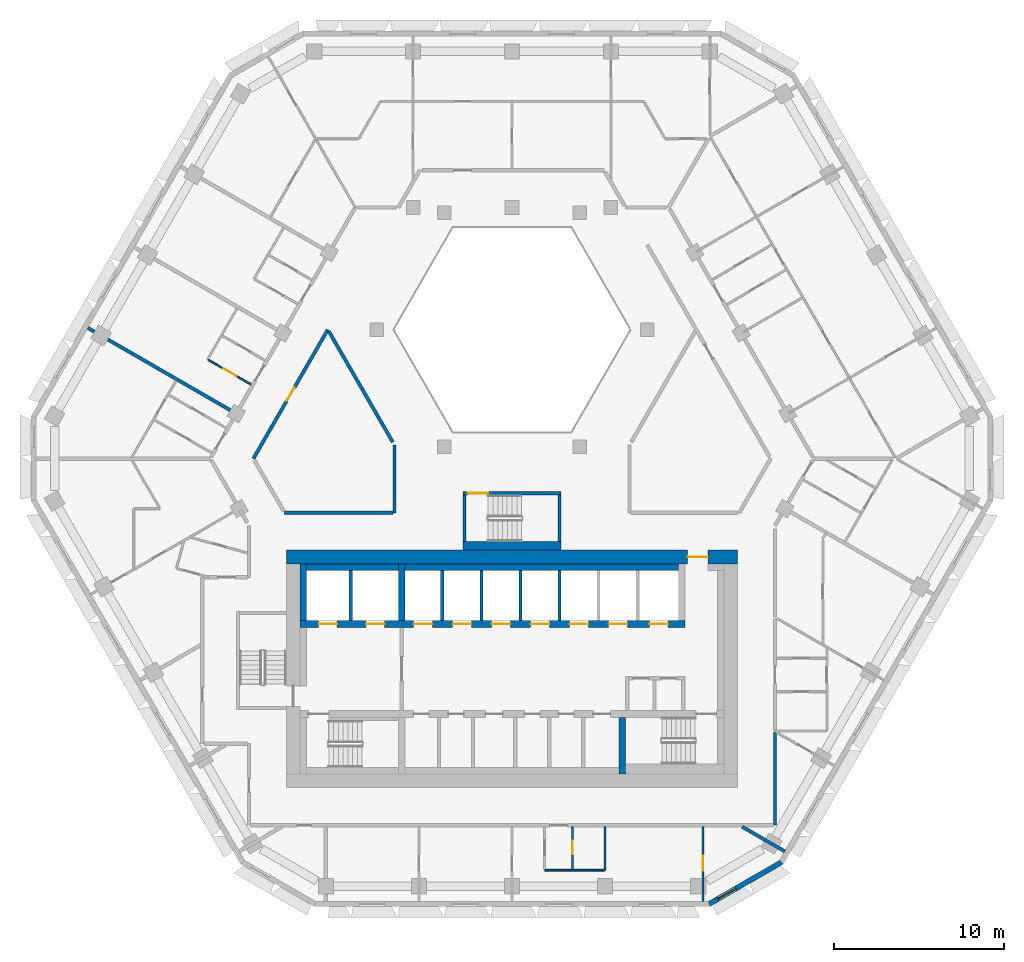
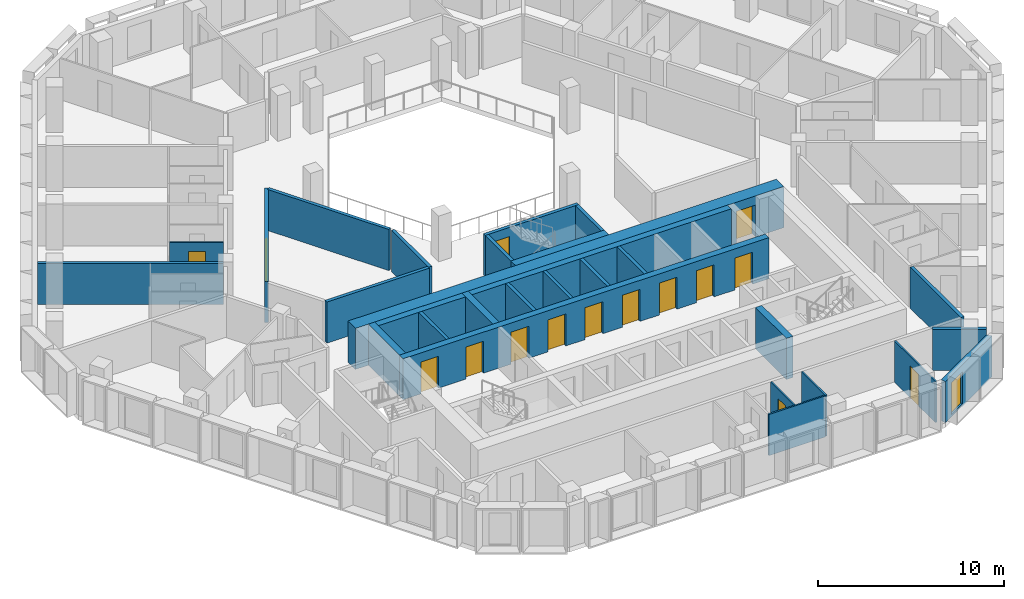
# One storey, part 5 of 15: 29 walls, 15 doors, 1 window, 16 openings.
"""IFC4 building model written with IfcOpenShell, lengths in metres."""

from ifc_helpers import new_model, si_unit, direction, frame, frame_2d, origin, place, context, subcontext, project, spatial, polyline, rectangle, outline, extrude, material, layer, layer_set, type_object, element, fill, save


model = new_model("IFC4")

# Units and contexts
model_context = context("Model", 3, precision=1e-05, world=origin(), true_north=direction((0.0, 1.0)))
body_context = subcontext(model_context, "Body", "Model", "MODEL_VIEW")
ifc_project = project(units=[si_unit("LENGTHUNIT", "METRE"), si_unit("AREAUNIT", "SQUARE_METRE"), si_unit("VOLUMEUNIT", "CUBIC_METRE"), si_unit("PLANEANGLEUNIT", "RADIAN"), si_unit("MASSUNIT", "GRAM", prefix="KILO")], contexts=[model_context])

# Site, building, storey
site_placement = place(None, origin())
site = spatial("IfcSite", under=ifc_project, at=site_placement, CompositionType="ELEMENT")
building_placement = place(site_placement, origin())
building = spatial("IfcBuilding", under=site, at=building_placement, Name="Beryl Residences", CompositionType="ELEMENT")
storey_placement = place(building_placement, frame((0.0, 0.0, 135.60009765625)))
storey = spatial("IfcBuildingStorey", under=building, at=storey_placement, Name="L41", CompositionType="ELEMENT", Elevation=135.60009765625)

# Wall, opening, window
ifc_material_1 = material(Name="Composite metal panel with mineral wool insulation")
ifc_layer_1 = layer(ifc_material_1, 0.300048828125)
ifc_layer_set_1 = layer_set([ifc_layer_1], Name="ES1 pale metal composite panel wall 300 mm")
wall_type_1 = type_object("IfcWallType", Name="ES1 pale metal composite panel wall 300 mm", PredefinedType="SOLIDWALL", material=ifc_layer_set_1)
wall_1_placement = place(storey_placement, frame((11.5869140625, -25.8701171875, 0.0), z_axis=(0.0, 0.0, 1.0), x_axis=(0.866022959057, 0.500004234368, 0.0)))
wall_1 = element("IfcWall", 1, at=wall_1_placement, inside=storey, type_object=wall_type_1, Name="ES1 external wall L41 S-SE", PredefinedType="SOLIDWALL", context=body_context, shape_type="SweptSolid", body=[
    extrude(outline(polyline([(0.0, -0.14990234375), (5.0, -0.14990234375), (4.919677734375, 0.14990234375), (0.080322265625, 0.14990234375), (0.0, -0.14990234375)])), origin(), (0.0, 0.0, 1.0), 2.699951171875),
])
opening_1_placement = place(wall_1_placement, frame((0.64990234375, 0.0, 0.14990234375)))
opening_1 = element("IfcOpeningElement", 2, at=opening_1_placement, cuts=wall_1, Name="Opening W2", PredefinedType="OPENING", context=body_context, shape_type="SweptSolid", body=[
    extrude(rectangle(XDim=1.199951171875, YDim=2.10009765625, at=frame_2d((0.60009765625, 1.050048828125))), frame((0.0, 0.159912109375, 0.0), z_axis=(0.0, -1.0, 0.0), x_axis=(1.0, 0.0, 0.0)), (0.0, 0.0, 1.0), 0.320068359375),
])
ifc_material_2 = material(Name="Aluminium and clear glass", Category="aluminium")
window_type = type_object("IfcWindowType", Name="W2 chamfer window 1200 x 2100 mm", PartitioningType="SINGLE_PANEL", PredefinedType="WINDOW", material=ifc_material_2)
window_placement = place(opening_1_placement, origin())
window = element("IfcWindow", 3, at=window_placement, inside=storey, type_object=window_type, Name="W2 window L41 S-SE 1", OverallHeight=2.10009765625, OverallWidth=1.199951171875, PartitioningType="SINGLE_PANEL", PredefinedType="WINDOW", context=body_context, shape_type="SweptSolid", body=[
    extrude(rectangle(XDim=1.199951171875, YDim=2.10009765625, at=frame_2d((0.60009765625, 1.050048828125))), frame((0.0, 0.030029296875, 0.0), z_axis=(0.0, -1.0, 0.0), x_axis=(1.0, 0.0, 0.0)), (0.0, 0.0, 1.0), 0.06005859375),
])
fill(opening_1, window)

# Wall, opening, door
ifc_material_3 = material(Name="Gypsum board partition on steel studs", Category="steel")
ifc_layer_2 = layer(ifc_material_3, 0.10009765625)
ifc_layer_set_2 = layer_set([ifc_layer_2], Name="PT1 partition 100 mm gypsum board on steel studs")
wall_type_2 = type_object("IfcWallType", Name="PT1 partition 100 mm gypsum board on steel studs", PredefinedType="PARTITIONING", material=ifc_layer_set_2)
wall_2_placement = place(storey_placement, frame((-17.89794921875, 6.217041015625, 0.0), z_axis=(0.0, 0.0, 1.0), x_axis=(0.86592000186, -0.500182517066, 0.0)))
wall_2 = element("IfcWall", 4, at=wall_2_placement, inside=storey, type_object=wall_type_2, Name="Wall PT1 L41 009", PredefinedType="PARTITIONING", context=body_context, shape_type="SweptSolid", body=[
    extrude(rectangle(XDim=2.9091796875, YDim=0.10009765625, at=frame_2d((1.45458984375, 0.0))), origin(), (0.0, 0.0, 1.0), 2.699951171875),
])
opening_2_placement = place(wall_2_placement, frame((1.029052734375, 0.0, 0.0)))
opening_2 = element("IfcOpeningElement", 5, at=opening_2_placement, cuts=wall_2, Name="Opening D1342", PredefinedType="OPENING", context=body_context, shape_type="SweptSolid", body=[
    extrude(rectangle(XDim=0.89990234375, YDim=2.10009765625, at=frame_2d((0.449951171875, 1.050048828125))), frame((0.0, 0.06005859375, 0.0), z_axis=(0.0, -1.0, 0.0), x_axis=(1.0, 0.0, 0.0)), (0.0, 0.0, 1.0), 0.1201171875),
])
ifc_material_4 = material(Name="Timber door leaf", Category="wood")
door_type_1 = type_object("IfcDoorType", Name="D2 room door 900 x 2100 mm", OperationType="SINGLE_SWING_LEFT", PredefinedType="DOOR", material=ifc_material_4)
door_1_placement = place(opening_2_placement, origin())
door_1 = element("IfcDoor", 6, at=door_1_placement, inside=storey, type_object=door_type_1, Name="Door D1342 L41 001", OperationType="SINGLE_SWING_RIGHT", OverallHeight=2.10009765625, OverallWidth=0.89990234375, PredefinedType="DOOR", context=body_context, shape_type="SweptSolid", body=[
    extrude(rectangle(XDim=0.89990234375, YDim=2.10009765625, at=frame_2d((0.449951171875, 1.050048828125))), frame((0.0, 0.02490234375, 0.0), z_axis=(0.0, -1.0, 0.0), x_axis=(1.0, 0.0, 0.0)), (0.0, 0.0, 1.0), 0.050048828125),
])
fill(opening_2, door_1)

# Wall
wall_3_placement = place(storey_placement, frame((1.922119140625, -23.860107421875, 0.0), z_axis=(0.0, 0.0, 1.0), x_axis=(1.0, 0.0, 0.0)))
element("IfcWall", 7, at=wall_3_placement, inside=storey, type_object=wall_type_2, Name="Wall PT1 L41 023", PredefinedType="PARTITIONING", context=body_context, shape_type="SweptSolid", body=[
    extrude(rectangle(XDim=3.512939453125, YDim=0.10009765625, at=frame_2d((1.75634765625, 0.0))), origin(), (0.0, 0.0, 1.0), 2.699951171875),
])

# Wall, opening, door
wall_4_placement = place(storey_placement, frame((3.56591796875, -23.81005859375, 0.0), z_axis=(0.0, 0.0, 1.0), x_axis=(0.0, 1.0, 0.0)))
wall_4 = element("IfcWall", 8, at=wall_4_placement, inside=storey, type_object=wall_type_2, Name="Wall PT1 L41 036", PredefinedType="PARTITIONING", context=body_context, shape_type="SweptSolid", body=[
    extrude(rectangle(XDim=2.510009765625, YDim=0.10009765625, at=frame_2d((1.2548828125, 0.0))), origin(), (0.0, 0.0, 1.0), 2.699951171875),
])
opening_3_placement = place(wall_4_placement, frame((0.8798828125, 0.0, 0.0)))
opening_3 = element("IfcOpeningElement", 9, at=opening_3_placement, cuts=wall_4, Name="Opening D1303", PredefinedType="OPENING", context=body_context, shape_type="SweptSolid", body=[
    extrude(rectangle(XDim=0.800048828125, YDim=2.10009765625, at=frame_2d((0.39990234375, 1.050048828125))), frame((0.0, 0.06005859375, 0.0), z_axis=(0.0, -1.0, 0.0), x_axis=(1.0, 0.0, 0.0)), (0.0, 0.0, 1.0), 0.1201171875),
])
ifc_material_5 = material(Name="Timber door leaf", Category="wood")
door_type_2 = type_object("IfcDoorType", Name="D3 bathroom door 800 x 2100 mm", OperationType="SINGLE_SWING_LEFT", PredefinedType="DOOR", material=ifc_material_5)
door_2_placement = place(opening_3_placement, origin())
door_2 = element("IfcDoor", 10, at=door_2_placement, inside=storey, type_object=door_type_2, Name="Door D1303 L41 001", OperationType="SINGLE_SWING_LEFT", OverallHeight=2.10009765625, OverallWidth=0.800048828125, PredefinedType="DOOR", context=body_context, shape_type="SweptSolid", body=[
    extrude(rectangle(XDim=0.800048828125, YDim=2.10009765625, at=frame_2d((0.39990234375, 1.050048828125))), frame((0.0, 0.02490234375, 0.0), z_axis=(0.0, -1.0, 0.0), x_axis=(1.0, 0.0, 0.0)), (0.0, 0.0, 1.0), 0.050048828125),
])
fill(opening_3, door_2)

# Wall
wall_5_placement = place(storey_placement, frame((5.486083984375, -23.85888671875, 0.0), z_axis=(0.0, 0.0, 1.0), x_axis=(0.0, 1.0, 0.0)))
element("IfcWall", 11, at=wall_5_placement, inside=storey, type_object=wall_type_2, Name="Wall PT1 L41 037", PredefinedType="PARTITIONING", context=body_context, shape_type="SweptSolid", body=[
    extrude(rectangle(XDim=2.558837890625, YDim=0.10009765625, at=frame_2d((1.279296875, 0.0))), origin(), (0.0, 0.0, 1.0), 2.699951171875),
])

# Wall, opening, door
wall_6_placement = place(storey_placement, frame((11.2548828125, -25.699951171875, 0.0), z_axis=(0.0, 0.0, 1.0), x_axis=(0.0, 1.0, 0.0)))
wall_6 = element("IfcWall", 12, at=wall_6_placement, inside=storey, type_object=wall_type_2, Name="Wall PT1 L41 039", PredefinedType="PARTITIONING", context=body_context, shape_type="SweptSolid", body=[
    extrude(rectangle(XDim=4.39990234375, YDim=0.10009765625, at=frame_2d((2.199951171875, 0.0))), origin(), (0.0, 0.0, 1.0), 2.699951171875),
])
opening_4_placement = place(wall_6_placement, frame((1.800048828125, 0.0, 0.0)))
opening_4 = element("IfcOpeningElement", 13, at=opening_4_placement, cuts=wall_6, Name="Opening D1304", PredefinedType="OPENING", context=body_context, shape_type="SweptSolid", body=[
    extrude(rectangle(XDim=0.89990234375, YDim=2.10009765625, at=frame_2d((0.449951171875, 1.050048828125))), frame((0.0, 0.06005859375, 0.0), z_axis=(0.0, -1.0, 0.0), x_axis=(1.0, 0.0, 0.0)), (0.0, 0.0, 1.0), 0.1201171875),
])
door_3_placement = place(opening_4_placement, origin())
door_3 = element("IfcDoor", 14, at=door_3_placement, inside=storey, type_object=door_type_1, Name="Door D1304 L41 001", OperationType="SINGLE_SWING_RIGHT", OverallHeight=2.10009765625, OverallWidth=0.89990234375, PredefinedType="DOOR", context=body_context, shape_type="SweptSolid", body=[
    extrude(rectangle(XDim=0.89990234375, YDim=2.10009765625, at=frame_2d((0.449951171875, 1.050048828125))), frame((0.0, 0.02490234375, 0.0), z_axis=(0.0, -1.0, 0.0), x_axis=(1.0, 0.0, 0.0)), (0.0, 0.0, 1.0), 0.050048828125),
])
fill(opening_4, door_3)

# Walls
ifc_material_6 = material(Name="Acoustic double stud gypsum board wall")
ifc_layer_3 = layer(ifc_material_6, 0.199951171875)
ifc_layer_set_3 = layer_set([ifc_layer_3], Name="PT3 party wall 200 mm acoustic double stud")
wall_type_3 = type_object("IfcWallType", Name="PT3 party wall 200 mm acoustic double stud", PredefinedType="PARTITIONING", material=ifc_layer_set_3)
wall_7_placement = place(storey_placement, frame((-24.9990234375, 8.10009765625, 0.0), z_axis=(0.0, 0.0, 1.0), x_axis=(0.866016855193, -0.500014806302, 0.0)))
element("IfcWall", 15, at=wall_7_placement, inside=storey, type_object=wall_type_3, Name="Wall PT3 L41 001", PredefinedType="PARTITIONING", context=body_context, shape_type="SweptSolid", body=[
    extrude(rectangle(XDim=9.999755859375, YDim=0.199951171875, at=frame_2d((5.0, 0.0))), origin(), (0.0, 0.0, 1.0), 2.699951171875),
])
wall_8_placement = place(storey_placement, frame((13.568115234375, -21.300048828125, 0.0), z_axis=(0.0, 0.0, 1.0), x_axis=(0.865885342641, -0.500242514586, 0.0)))
element("IfcWall", 16, at=wall_8_placement, inside=storey, type_object=wall_type_3, Name="Wall PT3 L41 002", PredefinedType="PARTITIONING", context=body_context, shape_type="SweptSolid", body=[
    extrude(rectangle(XDim=2.8984375, YDim=0.199951171875, at=frame_2d((1.44921875, 0.0))), origin(), (0.0, 0.0, 1.0), 2.699951171875),
])
ifc_material_7 = material(Name="Double stud gypsum board wall")
ifc_layer_4 = layer(ifc_material_7, 0.199951171875)
ifc_layer_set_4 = layer_set([ifc_layer_4], Name="PT4 corridor wall 200 mm double stud")
wall_type_4 = type_object("IfcWallType", Name="PT4 corridor wall 200 mm double stud", PredefinedType="PARTITIONING", material=ifc_layer_set_4)
wall_9_placement = place(storey_placement, frame((-10.7958984375, 7.89990234375, 0.0), z_axis=(0.0, 0.0, 1.0), x_axis=(0.499954271211, -0.866051803703, 0.0)))
element("IfcWall", 17, at=wall_9_placement, inside=storey, type_object=wall_type_4, Name="Wall PT4 L41 001", PredefinedType="PARTITIONING", context=body_context, shape_type="SweptSolid", body=[
    extrude(rectangle(XDim=7.536376953125, YDim=0.199951171875, at=frame_2d((3.76806640625, 0.0))), origin(), (0.0, 0.0, 1.0), 2.699951171875),
])
wall_10_placement = place(storey_placement, frame((-13.39501953125, -2.800048828125, 0.0), z_axis=(0.0, 0.0, 1.0), x_axis=(1.0, 0.0, 0.0)))
element("IfcWall", 18, at=wall_10_placement, inside=storey, type_object=wall_type_4, Name="Wall PT4 L41 012", PredefinedType="PARTITIONING", context=body_context, shape_type="SweptSolid", body=[
    extrude(rectangle(XDim=6.366943359375, YDim=0.199951171875, at=frame_2d((3.18359375, 0.0))), origin(), (0.0, 0.0, 1.0), 2.699951171875),
])

# Wall, opening, door
wall_11_placement = place(storey_placement, frame((-15.241943359375, 0.39892578125, 0.0), z_axis=(0.0, 0.0, 1.0), x_axis=(0.499953615651, 0.866052182145, 0.0)))
wall_11 = element("IfcWall", 19, at=wall_11_placement, inside=storey, type_object=wall_type_4, Name="Wall PT4 L41 020", PredefinedType="PARTITIONING", context=body_context, shape_type="SweptSolid", body=[
    extrude(rectangle(XDim=8.776611328125, YDim=0.199951171875, at=frame_2d((4.38818359375, 0.0))), origin(), (0.0, 0.0, 1.0), 2.699951171875),
])
opening_5_placement = place(wall_11_placement, frame((3.93798828125, 0.0, 0.0)))
opening_5 = element("IfcOpeningElement", 20, at=opening_5_placement, cuts=wall_11, Name="Opening D1356", PredefinedType="OPENING", context=body_context, shape_type="SweptSolid", body=[
    extrude(rectangle(XDim=0.89990234375, YDim=2.10009765625, at=frame_2d((0.449951171875, 1.050048828125))), frame((0.0, 0.10986328125, 0.0), z_axis=(0.0, -1.0, 0.0), x_axis=(1.0, 0.0, 0.0)), (0.0, 0.0, 1.0), 0.219970703125),
])
door_4_placement = place(opening_5_placement, origin())
door_4 = element("IfcDoor", 21, at=door_4_placement, inside=storey, type_object=door_type_1, Name="Door D1356 L41 001", OperationType="SINGLE_SWING_RIGHT", OverallHeight=2.10009765625, OverallWidth=0.89990234375, PredefinedType="DOOR", context=body_context, shape_type="SweptSolid", body=[
    extrude(rectangle(XDim=0.89990234375, YDim=2.10009765625, at=frame_2d((0.449951171875, 1.050048828125))), frame((0.0, 0.02490234375, 0.0), z_axis=(0.0, -1.0, 0.0), x_axis=(1.0, 0.0, 0.0)), (0.0, 0.0, 1.0), 0.050048828125),
])
fill(opening_5, door_4)

# Walls
wall_12_placement = place(storey_placement, frame((15.5, -21.198974609375, 0.0), z_axis=(0.0, 0.0, 1.0), x_axis=(0.0, 1.0, 0.0)))
element("IfcWall", 22, at=wall_12_placement, inside=storey, type_object=wall_type_4, Name="Wall PT4 L41 024", PredefinedType="PARTITIONING", context=body_context, shape_type="SweptSolid", body=[
    extrude(rectangle(XDim=5.4580078125, YDim=0.199951171875, at=frame_2d((2.72900390625, 0.0))), origin(), (0.0, 0.0, 1.0), 2.699951171875),
])
wall_13_placement = place(storey_placement, frame((-6.927978515625, -2.800048828125, 0.0), z_axis=(0.0, 0.0, 1.0), x_axis=(0.0, 1.0, 0.0)))
element("IfcWall", 23, at=wall_13_placement, inside=storey, type_object=wall_type_4, Name="Wall PT4 L41 026", PredefinedType="PARTITIONING", context=body_context, shape_type="SweptSolid", body=[
    extrude(rectangle(XDim=4.0, YDim=0.199951171875, at=frame_2d((2.0, 0.0))), origin(), (0.0, 0.0, 1.0), 2.699951171875),
])

# Wall, opening, door
ifc_material_8 = material(Name="Concrete C40/50", Category="concrete")
ifc_layer_5 = layer(ifc_material_8, 0.199951171875)
ifc_layer_set_5 = layer_set([ifc_layer_5], Name="PT5 stair enclosure wall 200 mm reinforced concrete C40/50")
wall_type_5 = type_object("IfcWallType", Name="PT5 stair enclosure wall 200 mm reinforced concrete C40/50", PredefinedType="SOLIDWALL", material=ifc_layer_set_5)
wall_14_placement = place(storey_placement, frame((-2.89990234375, -1.64990234375, 0.0), z_axis=(0.0, 0.0, 1.0), x_axis=(1.0, 0.0, 0.0)))
wall_14 = element("IfcWall", 24, at=wall_14_placement, inside=storey, type_object=wall_type_5, Name="Wall PT5 L41 001", PredefinedType="SOLIDWALL", context=body_context, shape_type="SweptSolid", body=[
    extrude(rectangle(XDim=5.7998046875, YDim=0.199951171875, at=frame_2d((2.89990234375, 0.0))), origin(), (0.0, 0.0, 1.0), 2.699951171875),
])
opening_6_placement = place(wall_14_placement, frame((0.300048828125, 0.0, 0.0)))
opening_6 = element("IfcOpeningElement", 25, at=opening_6_placement, cuts=wall_14, Name="Opening DS04", PredefinedType="OPENING", context=body_context, shape_type="SweptSolid", body=[
    extrude(rectangle(XDim=1.199951171875, YDim=2.10009765625, at=frame_2d((0.60009765625, 1.050048828125))), frame((0.0, 0.10986328125, 0.0), z_axis=(0.0, -1.0, 0.0), x_axis=(1.0, 0.0, 0.0)), (0.0, 0.0, 1.0), 0.219970703125),
])
ifc_material_9 = material(Name="Steel door leaf in steel frame", Category="steel")
door_type_3 = type_object("IfcDoorType", Name="D4 stair door 1200 x 2100 mm", OperationType="SINGLE_SWING_LEFT", PredefinedType="DOOR", material=ifc_material_9)
door_5_placement = place(opening_6_placement, origin())
door_5 = element("IfcDoor", 26, at=door_5_placement, inside=storey, type_object=door_type_3, Name="Door DS04 L41 001", OperationType="SINGLE_SWING_LEFT", OverallHeight=2.10009765625, OverallWidth=1.199951171875, PredefinedType="DOOR", context=body_context, shape_type="SweptSolid", body=[
    extrude(rectangle(XDim=1.199951171875, YDim=2.10009765625, at=frame_2d((0.60009765625, 1.050048828125))), frame((0.0, 0.02490234375, 0.0), z_axis=(0.0, -1.0, 0.0), x_axis=(1.0, 0.0, 0.0)), (0.0, 0.0, 1.0), 0.050048828125),
])
fill(opening_6, door_5)

# Walls
for number, where, z_axis, x_axis, name in (
    (27, (-2.800048828125, -4.5, 0.0), (0.0, 0.0, 1.0), (0.0, 1.0, 0.0), "Wall PT5 L41 002"),
    (28, (2.800048828125, -4.5, 0.0), (0.0, 0.0, 1.0), (0.0, 1.0, 0.0), "Wall PT5 L41 003"),
):
    element("IfcWall", number, at=place(storey_placement, frame(where, z_axis=z_axis, x_axis=x_axis)), inside=storey, type_object=wall_type_5, Name=name, PredefinedType="SOLIDWALL", context=body_context, shape_type="SweptSolid", body=[
        extrude(rectangle(XDim=2.75, YDim=0.199951171875, at=frame_2d((1.375, 0.0))), origin(), (0.0, 0.0, 1.0), 2.699951171875),
    ])
ifc_material_10 = material(Name="Concrete C40/50", Category="concrete")
ifc_layer_6 = layer(ifc_material_10, 0.5)
ifc_layer_set_6 = layer_set([ifc_layer_6], Name="PT5-500 stair enclosure wall 500 mm")
wall_type_6 = type_object("IfcWallType", Name="PT5-500 stair enclosure wall 500 mm", PredefinedType="SOLIDWALL", material=ifc_layer_set_6)
wall_15_placement = place(storey_placement, frame((-2.89990234375, -4.75, 0.0), z_axis=(0.0, 0.0, 1.0), x_axis=(1.0, 0.0, 0.0)))
element("IfcWall", 29, at=wall_15_placement, inside=storey, type_object=wall_type_6, Name="Wall PT5-500 L41 001", PredefinedType="SOLIDWALL", context=body_context, shape_type="SweptSolid", body=[
    extrude(rectangle(XDim=5.7998046875, YDim=0.5, at=frame_2d((2.89990234375, 0.0))), origin(), (0.0, 0.0, 1.0), 2.699951171875),
])
ifc_material_11 = material(Name="Concrete C40/50", Category="concrete")
ifc_layer_7 = layer(ifc_material_11, 0.199951171875)
ifc_layer_set_7 = layer_set([ifc_layer_7], Name="PT6 lift shaft wall 200 mm reinforced concrete C40/50")
wall_type_7 = type_object("IfcWallType", Name="PT6 lift shaft wall 200 mm reinforced concrete C40/50", PredefinedType="SOLIDWALL", material=ifc_layer_set_7)
for number, where, z_axis, x_axis, name in (
    (30, (-9.5, -9.14990234375, 0.0), (0.0, 0.0, 1.0), (0.0, 1.0, 0.0), "Lift shaft wall 10"),
    (31, (-4.10009765625, -9.14990234375, 0.0), (0.0, 0.0, 1.0), (0.0, 1.0, 0.0), "Lift shaft wall 15"),
    (32, (-1.800048828125, -9.14990234375, 0.0), (0.0, 0.0, 1.0), (0.0, 1.0, 0.0), "Lift shaft wall 17"),
    (33, (0.5, -9.14990234375, 0.0), (0.0, 0.0, 1.0), (0.0, 1.0, 0.0), "Lift shaft wall 19"),
    (34, (2.800048828125, -9.14990234375, 0.0), (0.0, 0.0, 1.0), (0.0, 1.0, 0.0), "Lift shaft wall 21"),
):
    element("IfcWall", number, at=place(storey_placement, frame(where, z_axis=z_axis, x_axis=x_axis)), inside=storey, type_object=wall_type_7, Name=name, PredefinedType="SOLIDWALL", context=body_context, shape_type="SweptSolid", body=[
        extrude(rectangle(XDim=2.949951171875, YDim=0.199951171875, at=frame_2d((1.47509765625, 0.0))), origin(), (0.0, 0.0, 1.0), 2.699951171875),
    ])
ifc_material_12 = material(Name="Concrete C40/50", Category="concrete")
ifc_layer_8 = layer(ifc_material_12, 0.39990234375)
ifc_layer_set_8 = layer_set([ifc_layer_8], Name="PT6-400 lift shaft wall 400 mm")
wall_type_8 = type_object("IfcWallType", Name="PT6-400 lift shaft wall 400 mm", PredefinedType="SOLIDWALL", material=ifc_layer_set_8)
wall_16_placement = place(storey_placement, frame((-12.300048828125, -9.14990234375, 0.0), z_axis=(0.0, 0.0, 1.0), x_axis=(0.0, 1.0, 0.0)))
element("IfcWall", 35, at=wall_16_placement, inside=storey, type_object=wall_type_8, Name="Lift shaft wall 06", PredefinedType="SOLIDWALL", context=body_context, shape_type="SweptSolid", body=[
    extrude(rectangle(XDim=3.349853515625, YDim=0.39990234375, at=frame_2d((1.6748046875, 0.0))), origin(), (0.0, 0.0, 1.0), 2.699951171875),
])
wall_17_placement = place(storey_placement, frame((-12.10009765625, -6.0, 0.0), z_axis=(0.0, 0.0, 1.0), x_axis=(1.0, 0.0, 0.0)))
element("IfcWall", 36, at=wall_17_placement, inside=storey, type_object=wall_type_8, Name="Lift shaft wall 08", PredefinedType="SOLIDWALL", context=body_context, shape_type="SweptSolid", body=[
    extrude(rectangle(XDim=5.400146484375, YDim=0.39990234375, at=frame_2d((2.7001953125, 0.0))), origin(), (0.0, 0.0, 1.0), 2.699951171875),
])
wall_18_placement = place(storey_placement, frame((-6.300048828125, -6.0, 0.0), z_axis=(0.0, 0.0, 1.0), x_axis=(1.0, 0.0, 0.0)))
element("IfcWall", 37, at=wall_18_placement, inside=storey, type_object=wall_type_8, Name="Lift shaft wall 13", PredefinedType="SOLIDWALL", context=body_context, shape_type="SweptSolid", body=[
    extrude(rectangle(XDim=16.10009765625, YDim=0.39990234375, at=frame_2d((8.050048828125, 0.0))), origin(), (0.0, 0.0, 1.0), 2.699951171875),
])

# Wall, opening, door
ifc_material_13 = material(Name="Concrete C60/75", Category="concrete")
ifc_layer_9 = layer(ifc_material_13, 0.800048828125)
ifc_layer_set_9 = layer_set([ifc_layer_9], Name="SW3 core outer wall 800 mm C60/75")
wall_type_9 = type_object("IfcWallType", Name="SW3 core outer wall 800 mm C60/75", PredefinedType="SHEAR", material=ifc_layer_set_9)
wall_19_placement = place(storey_placement, frame((-13.300048828125, -5.39990234375, 0.0), z_axis=(0.0, 0.0, 1.0), x_axis=(1.0, 0.0, 0.0)))
wall_19 = element("IfcWall", 38, at=wall_19_placement, inside=storey, type_object=wall_type_9, Name="Core wall N L41", PredefinedType="SHEAR", context=body_context, shape_type="SweptSolid", body=[
    extrude(rectangle(XDim=26.60009765625, YDim=0.800048828125, at=frame_2d((13.300048828125, 0.0))), origin(), (0.0, 0.0, 1.0), 2.699951171875),
])
opening_7_placement = place(wall_19_placement, frame((23.64990234375, 0.0, 0.0)))
opening_7 = element("IfcOpeningElement", 39, at=opening_7_placement, cuts=wall_19, Name="Opening FD-NORTH", PredefinedType="OPENING", context=body_context, shape_type="SweptSolid", body=[
    extrude(rectangle(XDim=1.199951171875, YDim=2.10009765625, at=frame_2d((0.60009765625, 1.050048828125))), frame((0.0, 0.409912109375, 0.0), z_axis=(0.0, -1.0, 0.0), x_axis=(1.0, 0.0, 0.0)), (0.0, 0.0, 1.0), 0.820068359375),
])
ifc_material_14 = material(Name="Steel door leaf in steel frame", Category="steel")
door_type_4 = type_object("IfcDoorType", Name="D22 lobby door 1200 x 2100 mm", OperationType="DOUBLE_DOOR_SINGLE_SWING", PredefinedType="DOOR", material=ifc_material_14)
door_6_placement = place(opening_7_placement, origin())
door_6 = element("IfcDoor", 40, at=door_6_placement, inside=storey, type_object=door_type_4, Name="Door FD-NORTH L41 001", OperationType="DOUBLE_DOOR_SINGLE_SWING", OverallHeight=2.10009765625, OverallWidth=1.199951171875, PredefinedType="DOOR", context=body_context, shape_type="SweptSolid", body=[
    extrude(rectangle(XDim=1.199951171875, YDim=2.10009765625, at=frame_2d((0.60009765625, 1.050048828125))), frame((0.0, 0.02490234375, 0.0), z_axis=(0.0, -1.0, 0.0), x_axis=(1.0, 0.0, 0.0)), (0.0, 0.0, 1.0), 0.050048828125),
])
fill(opening_7, door_6)

# Wall, openings, doors
ifc_material_15 = material(Name="Concrete C60/75", Category="concrete")
ifc_layer_10 = layer(ifc_material_15, 0.39990234375)
ifc_layer_set_10 = layer_set([ifc_layer_10], Name="SW8 core internal wall 400 mm C60/75")
wall_type_10 = type_object("IfcWallType", Name="SW8 core internal wall 400 mm C60/75", PredefinedType="SHEAR", material=ifc_layer_set_10)
wall_20_placement = place(storey_placement, frame((-12.5, -9.35009765625, 0.0), z_axis=(0.0, 0.0, 1.0), x_axis=(1.0, 0.0, 0.0)))
wall_20 = element("IfcWall", 41, at=wall_20_placement, inside=storey, type_object=wall_type_10, Name="Core wall SP2 L41", PredefinedType="SHEAR", context=body_context, shape_type="SweptSolid", body=[
    extrude(rectangle(XDim=22.699951171875, YDim=0.39990234375, at=frame_2d((11.35009765625, 0.0))), origin(), (0.0, 0.0, 1.0), 2.699951171875),
])
opening_8_placement = place(wall_20_placement, frame((1.10009765625, 0.0, 0.0)))
opening_8 = element("IfcOpeningElement", 42, at=opening_8_placement, cuts=wall_20, Name="Opening LD-FF1", PredefinedType="OPENING", context=body_context, shape_type="SweptSolid", body=[
    extrude(rectangle(XDim=1.10009765625, YDim=2.10009765625, at=frame_2d((0.550048828125, 1.050048828125))), frame((0.0, 0.2099609375, 0.0), z_axis=(0.0, -1.0, 0.0), x_axis=(1.0, 0.0, 0.0)), (0.0, 0.0, 1.0), 0.419921875),
])
opening_9_placement = place(wall_20_placement, frame((3.89990234375, 0.0, 0.0)))
opening_9 = element("IfcOpeningElement", 43, at=opening_9_placement, cuts=wall_20, Name="Opening LD-FF2", PredefinedType="OPENING", context=body_context, shape_type="SweptSolid", body=[
    extrude(rectangle(XDim=1.10009765625, YDim=2.10009765625, at=frame_2d((0.550048828125, 1.050048828125))), frame((0.0, 0.2099609375, 0.0), z_axis=(0.0, -1.0, 0.0), x_axis=(1.0, 0.0, 0.0)), (0.0, 0.0, 1.0), 0.419921875),
])
opening_10_placement = place(wall_20_placement, frame((6.699951171875, 0.0, 0.0)))
opening_10 = element("IfcOpeningElement", 44, at=opening_10_placement, cuts=wall_20, Name="Opening LD-HR1", PredefinedType="OPENING", context=body_context, shape_type="SweptSolid", body=[
    extrude(rectangle(XDim=1.10009765625, YDim=2.10009765625, at=frame_2d((0.550048828125, 1.050048828125))), frame((0.0, 0.2099609375, 0.0), z_axis=(0.0, -1.0, 0.0), x_axis=(1.0, 0.0, 0.0)), (0.0, 0.0, 1.0), 0.419921875),
])
opening_11_placement = place(wall_20_placement, frame((9.0, 0.0, 0.0)))
opening_11 = element("IfcOpeningElement", 45, at=opening_11_placement, cuts=wall_20, Name="Opening LD-HR2", PredefinedType="OPENING", context=body_context, shape_type="SweptSolid", body=[
    extrude(rectangle(XDim=1.10009765625, YDim=2.10009765625, at=frame_2d((0.550048828125, 1.050048828125))), frame((0.0, 0.2099609375, 0.0), z_axis=(0.0, -1.0, 0.0), x_axis=(1.0, 0.0, 0.0)), (0.0, 0.0, 1.0), 0.419921875),
])
opening_12_placement = place(wall_20_placement, frame((11.300048828125, 0.0, 0.0)))
opening_12 = element("IfcOpeningElement", 46, at=opening_12_placement, cuts=wall_20, Name="Opening LD-HR3", PredefinedType="OPENING", context=body_context, shape_type="SweptSolid", body=[
    extrude(rectangle(XDim=1.10009765625, YDim=2.10009765625, at=frame_2d((0.550048828125, 1.050048828125))), frame((0.0, 0.2099609375, 0.0), z_axis=(0.0, -1.0, 0.0), x_axis=(1.0, 0.0, 0.0)), (0.0, 0.0, 1.0), 0.419921875),
])
opening_13_placement = place(wall_20_placement, frame((13.60009765625, 0.0, 0.0)))
opening_13 = element("IfcOpeningElement", 47, at=opening_13_placement, cuts=wall_20, Name="Opening LD-HR4", PredefinedType="OPENING", context=body_context, shape_type="SweptSolid", body=[
    extrude(rectangle(XDim=1.10009765625, YDim=2.10009765625, at=frame_2d((0.550048828125, 1.050048828125))), frame((0.0, 0.2099609375, 0.0), z_axis=(0.0, -1.0, 0.0), x_axis=(1.0, 0.0, 0.0)), (0.0, 0.0, 1.0), 0.419921875),
])
opening_14_placement = place(wall_20_placement, frame((15.89990234375, 0.0, 0.0)))
opening_14 = element("IfcOpeningElement", 48, at=opening_14_placement, cuts=wall_20, Name="Opening LD-HR5", PredefinedType="OPENING", context=body_context, shape_type="SweptSolid", body=[
    extrude(rectangle(XDim=1.10009765625, YDim=2.10009765625, at=frame_2d((0.550048828125, 1.050048828125))), frame((0.0, 0.2099609375, 0.0), z_axis=(0.0, -1.0, 0.0), x_axis=(1.0, 0.0, 0.0)), (0.0, 0.0, 1.0), 0.419921875),
])
opening_15_placement = place(wall_20_placement, frame((18.199951171875, 0.0, 0.0)))
opening_15 = element("IfcOpeningElement", 49, at=opening_15_placement, cuts=wall_20, Name="Opening LD-HR6", PredefinedType="OPENING", context=body_context, shape_type="SweptSolid", body=[
    extrude(rectangle(XDim=1.10009765625, YDim=2.10009765625, at=frame_2d((0.550048828125, 1.050048828125))), frame((0.0, 0.2099609375, 0.0), z_axis=(0.0, -1.0, 0.0), x_axis=(1.0, 0.0, 0.0)), (0.0, 0.0, 1.0), 0.419921875),
])
opening_16_placement = place(wall_20_placement, frame((20.60009765625, 0.0, 0.0)))
opening_16 = element("IfcOpeningElement", 50, at=opening_16_placement, cuts=wall_20, Name="Opening LD-SL1", PredefinedType="OPENING", context=body_context, shape_type="SweptSolid", body=[
    extrude(rectangle(XDim=1.10009765625, YDim=2.10009765625, at=frame_2d((0.550048828125, 1.050048828125))), frame((0.0, 0.2099609375, 0.0), z_axis=(0.0, -1.0, 0.0), x_axis=(1.0, 0.0, 0.0)), (0.0, 0.0, 1.0), 0.419921875),
])
ifc_material_16 = material(Name="Stainless steel sliding door", Category="steel")
door_type_5 = type_object("IfcDoorType", Name="LD1 lift landing door 1100 x 2100 mm", OperationType="DOUBLE_DOOR_SLIDING", PredefinedType="DOOR", material=ifc_material_16)
door_7_placement = place(opening_8_placement, origin())
door_7 = element("IfcDoor", 51, at=door_7_placement, inside=storey, type_object=door_type_5, Name="Lift landing door FF1", OperationType="DOUBLE_DOOR_SLIDING", OverallHeight=2.10009765625, OverallWidth=1.10009765625, PredefinedType="DOOR", context=body_context, shape_type="SweptSolid", body=[
    extrude(rectangle(XDim=1.10009765625, YDim=2.10009765625, at=frame_2d((0.550048828125, 1.050048828125))), frame((0.0, 0.02490234375, 0.0), z_axis=(0.0, -1.0, 0.0), x_axis=(1.0, 0.0, 0.0)), (0.0, 0.0, 1.0), 0.050048828125),
])
fill(opening_8, door_7)
door_8_placement = place(opening_9_placement, origin())
door_8 = element("IfcDoor", 52, at=door_8_placement, inside=storey, type_object=door_type_5, Name="Lift landing door FF2", OperationType="DOUBLE_DOOR_SLIDING", OverallHeight=2.10009765625, OverallWidth=1.10009765625, PredefinedType="DOOR", context=body_context, shape_type="SweptSolid", body=[
    extrude(rectangle(XDim=1.10009765625, YDim=2.10009765625, at=frame_2d((0.550048828125, 1.050048828125))), frame((0.0, 0.02490234375, 0.0), z_axis=(0.0, -1.0, 0.0), x_axis=(1.0, 0.0, 0.0)), (0.0, 0.0, 1.0), 0.050048828125),
])
fill(opening_9, door_8)
door_9_placement = place(opening_10_placement, origin())
door_9 = element("IfcDoor", 53, at=door_9_placement, inside=storey, type_object=door_type_5, Name="Lift landing door HR1", OperationType="DOUBLE_DOOR_SLIDING", OverallHeight=2.10009765625, OverallWidth=1.10009765625, PredefinedType="DOOR", context=body_context, shape_type="SweptSolid", body=[
    extrude(rectangle(XDim=1.10009765625, YDim=2.10009765625, at=frame_2d((0.550048828125, 1.050048828125))), frame((0.0, 0.02490234375, 0.0), z_axis=(0.0, -1.0, 0.0), x_axis=(1.0, 0.0, 0.0)), (0.0, 0.0, 1.0), 0.050048828125),
])
fill(opening_10, door_9)
door_10_placement = place(opening_11_placement, origin())
door_10 = element("IfcDoor", 54, at=door_10_placement, inside=storey, type_object=door_type_5, Name="Lift landing door HR2", OperationType="DOUBLE_DOOR_SLIDING", OverallHeight=2.10009765625, OverallWidth=1.10009765625, PredefinedType="DOOR", context=body_context, shape_type="SweptSolid", body=[
    extrude(rectangle(XDim=1.10009765625, YDim=2.10009765625, at=frame_2d((0.550048828125, 1.050048828125))), frame((0.0, 0.02490234375, 0.0), z_axis=(0.0, -1.0, 0.0), x_axis=(1.0, 0.0, 0.0)), (0.0, 0.0, 1.0), 0.050048828125),
])
fill(opening_11, door_10)
door_11_placement = place(opening_12_placement, origin())
door_11 = element("IfcDoor", 55, at=door_11_placement, inside=storey, type_object=door_type_5, Name="Lift landing door HR3", OperationType="DOUBLE_DOOR_SLIDING", OverallHeight=2.10009765625, OverallWidth=1.10009765625, PredefinedType="DOOR", context=body_context, shape_type="SweptSolid", body=[
    extrude(rectangle(XDim=1.10009765625, YDim=2.10009765625, at=frame_2d((0.550048828125, 1.050048828125))), frame((0.0, 0.02490234375, 0.0), z_axis=(0.0, -1.0, 0.0), x_axis=(1.0, 0.0, 0.0)), (0.0, 0.0, 1.0), 0.050048828125),
])
fill(opening_12, door_11)
door_12_placement = place(opening_13_placement, origin())
door_12 = element("IfcDoor", 56, at=door_12_placement, inside=storey, type_object=door_type_5, Name="Lift landing door HR4", OperationType="DOUBLE_DOOR_SLIDING", OverallHeight=2.10009765625, OverallWidth=1.10009765625, PredefinedType="DOOR", context=body_context, shape_type="SweptSolid", body=[
    extrude(rectangle(XDim=1.10009765625, YDim=2.10009765625, at=frame_2d((0.550048828125, 1.050048828125))), frame((0.0, 0.02490234375, 0.0), z_axis=(0.0, -1.0, 0.0), x_axis=(1.0, 0.0, 0.0)), (0.0, 0.0, 1.0), 0.050048828125),
])
fill(opening_13, door_12)
door_13_placement = place(opening_14_placement, origin())
door_13 = element("IfcDoor", 57, at=door_13_placement, inside=storey, type_object=door_type_5, Name="Lift landing door HR5", OperationType="DOUBLE_DOOR_SLIDING", OverallHeight=2.10009765625, OverallWidth=1.10009765625, PredefinedType="DOOR", context=body_context, shape_type="SweptSolid", body=[
    extrude(rectangle(XDim=1.10009765625, YDim=2.10009765625, at=frame_2d((0.550048828125, 1.050048828125))), frame((0.0, 0.02490234375, 0.0), z_axis=(0.0, -1.0, 0.0), x_axis=(1.0, 0.0, 0.0)), (0.0, 0.0, 1.0), 0.050048828125),
])
fill(opening_14, door_13)
door_14_placement = place(opening_15_placement, origin())
door_14 = element("IfcDoor", 58, at=door_14_placement, inside=storey, type_object=door_type_5, Name="Lift landing door HR6", OperationType="DOUBLE_DOOR_SLIDING", OverallHeight=2.10009765625, OverallWidth=1.10009765625, PredefinedType="DOOR", context=body_context, shape_type="SweptSolid", body=[
    extrude(rectangle(XDim=1.10009765625, YDim=2.10009765625, at=frame_2d((0.550048828125, 1.050048828125))), frame((0.0, 0.02490234375, 0.0), z_axis=(0.0, -1.0, 0.0), x_axis=(1.0, 0.0, 0.0)), (0.0, 0.0, 1.0), 0.050048828125),
])
fill(opening_15, door_14)
door_15_placement = place(opening_16_placement, origin())
door_15 = element("IfcDoor", 59, at=door_15_placement, inside=storey, type_object=door_type_5, Name="Lift landing door SL1", OperationType="DOUBLE_DOOR_SLIDING", OverallHeight=2.10009765625, OverallWidth=1.10009765625, PredefinedType="DOOR", context=body_context, shape_type="SweptSolid", body=[
    extrude(rectangle(XDim=1.10009765625, YDim=2.10009765625, at=frame_2d((0.550048828125, 1.050048828125))), frame((0.0, 0.02490234375, 0.0), z_axis=(0.0, -1.0, 0.0), x_axis=(1.0, 0.0, 0.0)), (0.0, 0.0, 1.0), 0.050048828125),
])
fill(opening_16, door_15)

# Walls
for number, where, z_axis, x_axis, name in (
    (60, (6.5, -18.199951171875, 0.0), (0.0, 0.0, 1.0), (0.0, 1.0, 0.0), "Core wall XS2 L41"),
    (61, (-6.5, -9.14990234375, 0.0), (0.0, 0.0, 1.0), (0.0, 1.0, 0.0), "Core wall XN1 L41"),
):
    element("IfcWall", number, at=place(storey_placement, frame(where, z_axis=z_axis, x_axis=x_axis)), inside=storey, type_object=wall_type_10, Name=name, PredefinedType="SHEAR", context=body_context, shape_type="SweptSolid", body=[
        extrude(rectangle(XDim=3.349853515625, YDim=0.39990234375, at=frame_2d((1.6748046875, 0.0))), origin(), (0.0, 0.0, 1.0), 2.699951171875),
    ])

save(model, "model.ifc")
